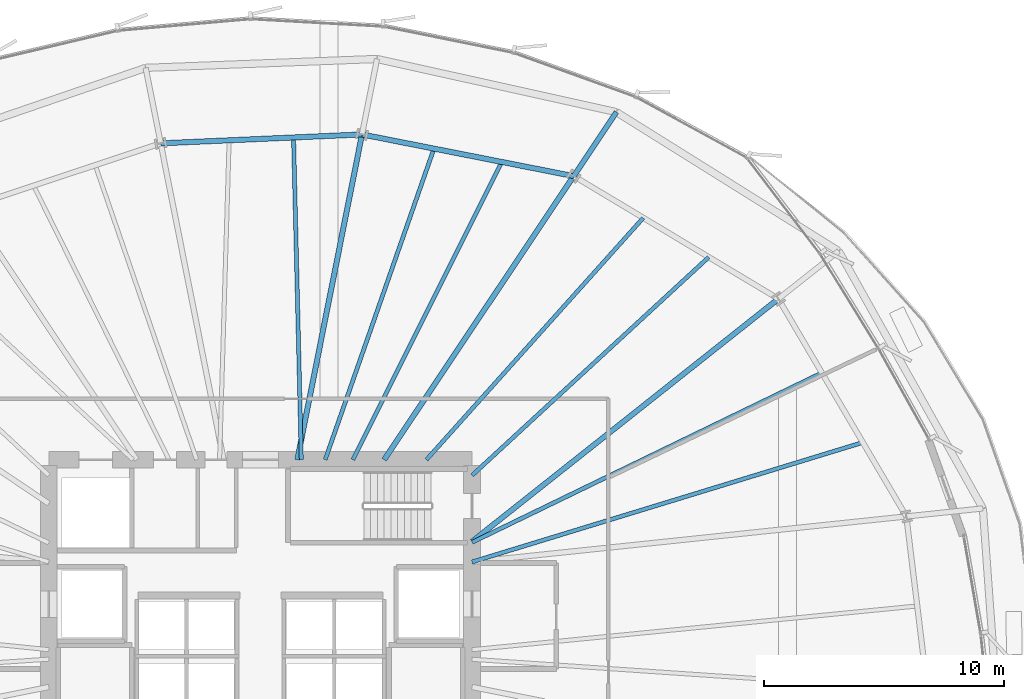
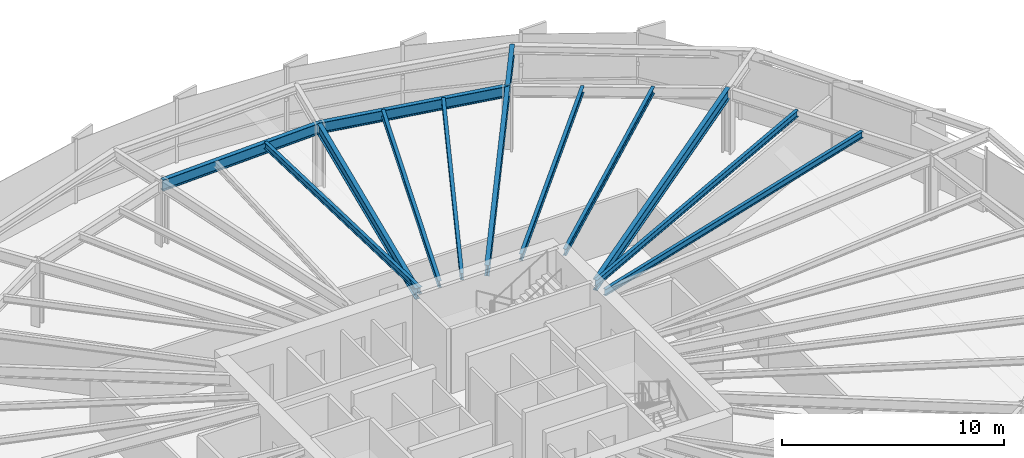
# One storey, part 25 of 39: 13 beams.
"""IFC4 building model written with IfcOpenShell, lengths in metres."""

from ifc_helpers import new_model, si_unit, direction, frame, origin, origin_2d, place, context, subcontext, project, spatial, i_section, extrude, source, transform, mapped, material, material_profile, profile_set, type_object, element, save


model = new_model("IFC4")

# Units and contexts
model_context = context("Model", 3, precision=1e-05, world=origin(), true_north=direction((0.0, 1.0)))
body_context = subcontext(model_context, "Body", "Model", "MODEL_VIEW")
ifc_project = project(units=[si_unit("LENGTHUNIT", "METRE"), si_unit("AREAUNIT", "SQUARE_METRE"), si_unit("VOLUMEUNIT", "CUBIC_METRE"), si_unit("PLANEANGLEUNIT", "RADIAN"), si_unit("MASSUNIT", "GRAM", prefix="KILO"), si_unit("THERMODYNAMICTEMPERATUREUNIT", "KELVIN")], contexts=[model_context])

# Site, building, storey
site_placement = place(None, origin())
site = spatial("IfcSite", under=ifc_project, at=site_placement, CompositionType="ELEMENT")
building_placement = place(site_placement, origin())
building = spatial("IfcBuilding", under=site, at=building_placement, Name="Kethvar Cultural Tower", CompositionType="ELEMENT")
storey_placement = place(building_placement, frame((0.0, 0.0, 33.39990234375)))
storey = spatial("IfcBuildingStorey", under=building, at=storey_placement, Name="L07", CompositionType="ELEMENT", Elevation=33.39990234375)

# Beams
ifc_material = material(Name="Steel S355J2", Category="steel")
ifc_material_profile_1 = material_profile(ifc_material, i_section(OverallWidth=0.219970703125, OverallDepth=0.60009765625, WebThickness=0.011962890625, FlangeThickness=0.01904296875, FilletRadius=0.02392578125, at=origin_2d()), Name="Steel S355J2 — IPE600")
ifc_profile_set_1 = profile_set([ifc_material_profile_1], Name="Steel S355J2 — IPE600")
beam_type_1 = type_object("IfcBeamType", Name="BM-IPE600", PredefinedType="BEAM", material=ifc_profile_set_1)
shared_shape_1 = source(origin(), body_context, "Body", "SweptSolid", [
    extrude(i_section(OverallWidth=0.219970703125, OverallDepth=0.60009765625, WebThickness=0.011962890625, FlangeThickness=0.01904296875, FilletRadius=0.02392578125, at=origin_2d()), origin(), (0.0, 0.0, 1.0), 16.248779296875),
])
beam_1_placement = place(storey_placement, frame((55.60009765625, 32.10009765625, 3.248046875), z_axis=(0.783831288624, 0.620973840813, 0.0), x_axis=(-0.620973840813, 0.783831288624, 0.0)))
element("IfcBeam", 1, at=beam_1_placement, inside=storey, type_object=beam_type_1, Name="L07 Primary Radial Beam RB-02", PredefinedType="BEAM", context=body_context, shape_type="MappedRepresentation", body=[
    mapped(shared_shape_1, transform((0.0, 0.0, 0.0), scale=1.0)),
])
shared_shape_2 = source(origin(), body_context, "Body", "SweptSolid", [
    extrude(i_section(OverallWidth=0.219970703125, OverallDepth=0.60009765625, WebThickness=0.011962890625, FlangeThickness=0.01904296875, FilletRadius=0.02392578125, at=origin_2d()), origin(), (0.0, 0.0, 1.0), 14.18359375),
])
beam_2_placement = place(storey_placement, frame((51.945068359375, 35.5, 3.248046875), z_axis=(0.55556584065, 0.831472547174, 0.0), x_axis=(-0.831472547174, 0.55556584065, 0.0)))
element("IfcBeam", 2, at=beam_2_placement, inside=storey, type_object=beam_type_1, Name="L07 Primary Radial Beam RB-03", PredefinedType="BEAM", context=body_context, shape_type="MappedRepresentation", body=[
    mapped(shared_shape_2, transform((0.0, 0.0, 0.0), scale=1.0)),
])
shared_shape_3 = source(origin(), body_context, "Body", "SweptSolid", [
    extrude(i_section(OverallWidth=0.219970703125, OverallDepth=0.60009765625, WebThickness=0.011962890625, FlangeThickness=0.01904296875, FilletRadius=0.02392578125, at=origin_2d()), origin(), (0.0, 0.0, 1.0), 3.2001953125),
])
beam_3_placement = place(storey_placement, frame((59.824951171875, 47.293212890625, 3.248046875), z_axis=(0.555544970406, 0.831486491686, 0.0), x_axis=(-0.831486491686, 0.555544970406, 0.0)))
element("IfcBeam", 3, at=beam_3_placement, inside=storey, type_object=beam_type_1, Name="L07 Perimeter Cantilever Beam RC-03", PredefinedType="BEAM", context=body_context, shape_type="MappedRepresentation", body=[
    mapped(shared_shape_3, transform((0.0, 0.0, 0.0), scale=1.0)),
])
shared_shape_4 = source(origin(), body_context, "Body", "SweptSolid", [
    extrude(i_section(OverallWidth=0.219970703125, OverallDepth=0.60009765625, WebThickness=0.011962890625, FlangeThickness=0.01904296875, FilletRadius=0.02392578125, at=origin_2d()), origin(), (0.0, 0.0, 1.0), 13.791015625),
])
beam_4_placement = place(storey_placement, frame((48.33154296875, 35.5, 3.248046875), z_axis=(0.195104916429, 0.980782377281, 0.0), x_axis=(-0.980782377281, 0.195104916429, 0.0)))
element("IfcBeam", 4, at=beam_4_placement, inside=storey, type_object=beam_type_1, Name="L07 Primary Radial Beam RB-04", PredefinedType="BEAM", context=body_context, shape_type="MappedRepresentation", body=[
    mapped(shared_shape_4, transform((0.0, 0.0, 0.0), scale=1.0)),
])
ifc_material_profile_2 = material_profile(ifc_material, i_section(OverallWidth=0.169921875, OverallDepth=0.360107421875, WebThickness=0.008056640625, FlangeThickness=0.0126953125, FilletRadius=0.01806640625, at=origin_2d()), Name="Steel S355J2 — IPE360")
ifc_profile_set_2 = profile_set([ifc_material_profile_2], Name="Steel S355J2 — IPE360")
beam_type_2 = type_object("IfcBeamType", Name="BM-J360", PredefinedType="JOIST", material=ifc_profile_set_2)
shared_shape_5 = source(origin(), body_context, "Body", "SweptSolid", [
    extrude(i_section(OverallWidth=0.169921875, OverallDepth=0.360107421875, WebThickness=0.008056640625, FlangeThickness=0.0126953125, FilletRadius=0.01806640625, at=origin_2d()), origin(), (0.0, 0.0, 1.0), 16.990478515625),
])
beam_5_placement = place(storey_placement, frame((55.60009765625, 31.25, 3.3681640625), z_axis=(0.956287408668, 0.292428439149, 0.0), x_axis=(-0.292428439149, 0.956287408668, 0.0)))
element("IfcBeam", 5, at=beam_5_placement, inside=storey, type_object=beam_type_2, Name="L07 Composite Floor Joist J-01A", PredefinedType="JOIST", context=body_context, shape_type="MappedRepresentation", body=[
    mapped(shared_shape_5, transform((0.0, 0.0, 0.0), scale=1.0)),
])
shared_shape_6 = source(origin(), body_context, "Body", "SweptSolid", [
    extrude(i_section(OverallWidth=0.169921875, OverallDepth=0.360107421875, WebThickness=0.008056640625, FlangeThickness=0.0126953125, FilletRadius=0.01806640625, at=origin_2d()), origin(), (0.0, 0.0, 1.0), 16.163330078125),
])
beam_6_placement = place(storey_placement, frame((55.60009765625, 32.064697265625, 3.3681640625), z_axis=(0.899890099721, 0.436116737151, 0.0), x_axis=(-0.436116737151, 0.899890099721, 0.0)))
element("IfcBeam", 6, at=beam_6_placement, inside=storey, type_object=beam_type_2, Name="L07 Composite Floor Joist J-01B", PredefinedType="JOIST", context=body_context, shape_type="MappedRepresentation", body=[
    mapped(shared_shape_6, transform((0.0, 0.0, 0.0), scale=1.0)),
])
shared_shape_7 = source(origin(), body_context, "Body", "SweptSolid", [
    extrude(i_section(OverallWidth=0.169921875, OverallDepth=0.360107421875, WebThickness=0.008056640625, FlangeThickness=0.0126953125, FilletRadius=0.01806640625, at=origin_2d()), origin(), (0.0, 0.0, 1.0), 13.3876953125),
])
beam_7_placement = place(storey_placement, frame((55.60009765625, 34.85009765625, 3.3681640625), z_axis=(0.735175283276, 0.677877055859, 0.0), x_axis=(-0.677877055859, 0.735175283276, 0.0)))
element("IfcBeam", 7, at=beam_7_placement, inside=storey, type_object=beam_type_2, Name="L07 Composite Floor Joist J-02A", PredefinedType="JOIST", context=body_context, shape_type="MappedRepresentation", body=[
    mapped(shared_shape_7, transform((0.0, 0.0, 0.0), scale=1.0)),
])
shared_shape_8 = source(origin(), body_context, "Body", "SweptSolid", [
    extrude(i_section(OverallWidth=0.169921875, OverallDepth=0.360107421875, WebThickness=0.008056640625, FlangeThickness=0.0126953125, FilletRadius=0.01806640625, at=origin_2d()), origin(), (0.0, 0.0, 1.0), 13.508056640625),
])
beam_8_placement = place(storey_placement, frame((53.702392578125, 35.5, 3.3681640625), z_axis=(0.667503553274, 0.744606611821, 0.0), x_axis=(-0.744606611821, 0.667503553274, 0.0)))
element("IfcBeam", 8, at=beam_8_placement, inside=storey, type_object=beam_type_2, Name="L07 Composite Floor Joist J-02B", PredefinedType="JOIST", context=body_context, shape_type="MappedRepresentation", body=[
    mapped(shared_shape_8, transform((0.0, 0.0, 0.0), scale=1.0)),
])
shared_shape_9 = source(origin(), body_context, "Body", "SweptSolid", [
    extrude(i_section(OverallWidth=0.219970703125, OverallDepth=0.60009765625, WebThickness=0.011962890625, FlangeThickness=0.01904296875, FilletRadius=0.02392578125, at=origin_2d()), origin(), (0.0, 0.0, 1.0), 8.9716796875),
])
beam_9_placement = place(storey_placement, frame((59.824951171875, 47.293212890625, 3.248046875), z_axis=(-0.981173751046, 0.193127083181, 0.0), x_axis=(-0.193127083181, -0.981173751046, 0.0)))
element("IfcBeam", 9, at=beam_9_placement, inside=storey, type_object=beam_type_1, Name="L07 Column Ring Tie Beam CR-03", PredefinedType="BEAM", context=body_context, shape_type="MappedRepresentation", body=[
    mapped(shared_shape_9, transform((0.0, 0.0, 0.0), scale=1.0)),
])
shared_shape_10 = source(origin(), body_context, "Body", "SweptSolid", [
    extrude(i_section(OverallWidth=0.169921875, OverallDepth=0.360107421875, WebThickness=0.008056640625, FlangeThickness=0.0126953125, FilletRadius=0.01806640625, at=origin_2d()), origin(), (0.0, 0.0, 1.0), 13.84130859375),
])
beam_10_placement = place(storey_placement, frame((50.646484375, 35.5, 3.3681640625), z_axis=(0.446889017672, 0.894589406311, 0.0), x_axis=(-0.894589406311, 0.446889017672, 0.0)))
element("IfcBeam", 10, at=beam_10_placement, inside=storey, type_object=beam_type_2, Name="L07 Composite Floor Joist J-03A", PredefinedType="JOIST", context=body_context, shape_type="MappedRepresentation", body=[
    mapped(shared_shape_10, transform((0.0, 0.0, 0.0), scale=1.0)),
])
shared_shape_11 = source(origin(), body_context, "Body", "SweptSolid", [
    extrude(i_section(OverallWidth=0.169921875, OverallDepth=0.360107421875, WebThickness=0.008056640625, FlangeThickness=0.0126953125, FilletRadius=0.01806640625, at=origin_2d()), origin(), (0.0, 0.0, 1.0), 13.70458984375),
])
beam_11_placement = place(storey_placement, frame((49.4921875, 35.5, 3.3681640625), z_axis=(0.330030618422, 0.943970227764, 0.0), x_axis=(-0.943970227764, 0.330030618422, 0.0)))
element("IfcBeam", 11, at=beam_11_placement, inside=storey, type_object=beam_type_2, Name="L07 Composite Floor Joist J-03B", PredefinedType="JOIST", context=body_context, shape_type="MappedRepresentation", body=[
    mapped(shared_shape_11, transform((0.0, 0.0, 0.0), scale=1.0)),
])
shared_shape_12 = source(origin(), body_context, "Body", "SweptSolid", [
    extrude(i_section(OverallWidth=0.219970703125, OverallDepth=0.60009765625, WebThickness=0.011962890625, FlangeThickness=0.01904296875, FilletRadius=0.02392578125, at=origin_2d()), origin(), (0.0, 0.0, 1.0), 8.378662109375),
])
beam_12_placement = place(storey_placement, frame((51.022216796875, 49.02587890625, 3.248046875), z_axis=(-0.999023890534, -0.04417313825, 0.0), x_axis=(0.04417313825, -0.999023890534, 0.0)))
element("IfcBeam", 12, at=beam_12_placement, inside=storey, type_object=beam_type_1, Name="L07 Column Ring Tie Beam CR-04", PredefinedType="BEAM", context=body_context, shape_type="MappedRepresentation", body=[
    mapped(shared_shape_12, transform((0.0, 0.0, 0.0), scale=1.0)),
])
shared_shape_13 = source(origin(), body_context, "Body", "SweptSolid", [
    extrude(i_section(OverallWidth=0.169921875, OverallDepth=0.360107421875, WebThickness=0.008056640625, FlangeThickness=0.0126953125, FilletRadius=0.01806640625, at=origin_2d()), origin(), (0.0, 0.0, 1.0), 13.40380859375),
])
beam_13_placement = place(storey_placement, frame((48.5, 35.5, 3.3681640625), z_axis=(-0.024170322554, 0.999707855079, 0.0), x_axis=(-0.999707855079, -0.024170322554, 0.0)))
element("IfcBeam", 13, at=beam_13_placement, inside=storey, type_object=beam_type_2, Name="L07 Composite Floor Joist J-04A", PredefinedType="JOIST", context=body_context, shape_type="MappedRepresentation", body=[
    mapped(shared_shape_13, transform((0.0, 0.0, 0.0), scale=1.0)),
])

save(model, "model.ifc")
